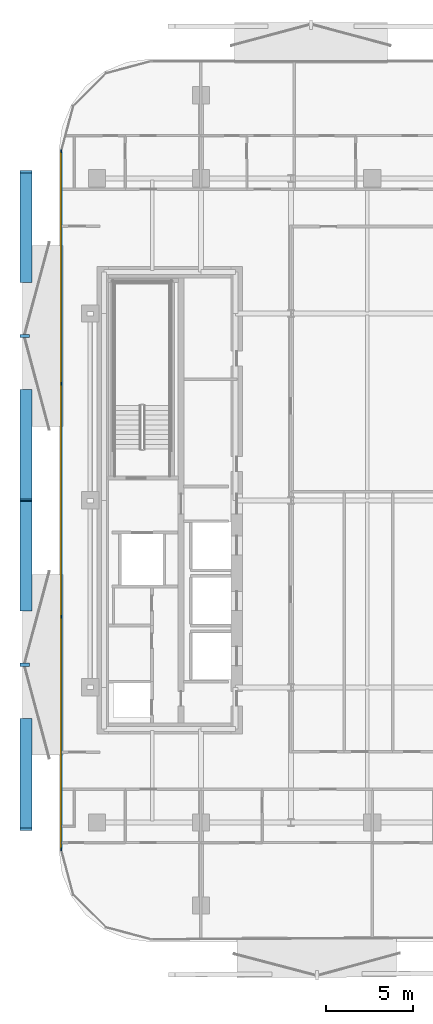
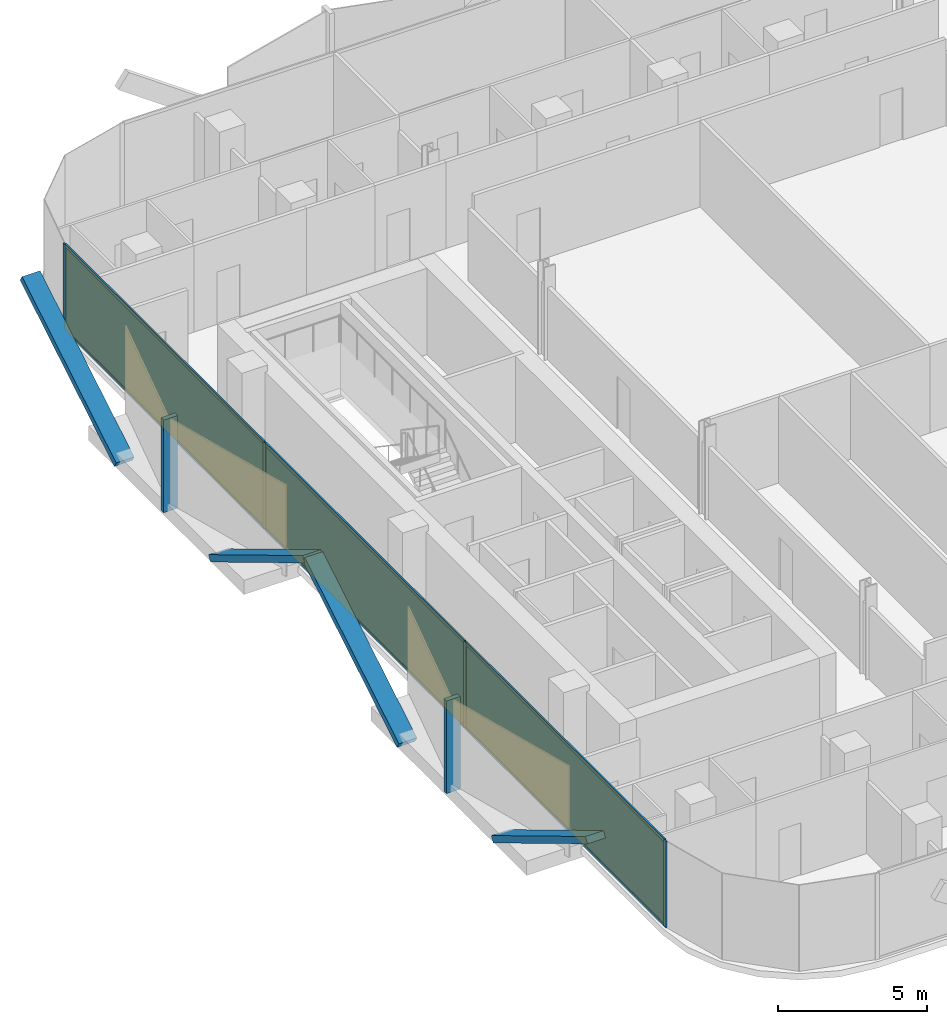
# One storey, part 10 of 17: 16 members, 3 plates, 1 curtain wall.
"""IFC4 building model written with IfcOpenShell, lengths in metres."""

from ifc_helpers import new_model, si_unit, direction, frame, frame_2d, origin, origin_2d, place, context, subcontext, project, spatial, rectangle, extrude, material, layer, layer_set, material_profile, profile_set, type_object, element, aggregate, save


model = new_model("IFC4")

# Units and contexts
model_context = context("Model", 3, precision=1e-05, world=origin(), true_north=direction((0.0, 1.0)))
body_context = subcontext(model_context, "Body", "Model", "MODEL_VIEW")
ifc_project = project(units=[si_unit("LENGTHUNIT", "METRE"), si_unit("AREAUNIT", "SQUARE_METRE"), si_unit("VOLUMEUNIT", "CUBIC_METRE"), si_unit("PLANEANGLEUNIT", "RADIAN"), si_unit("MASSUNIT", "GRAM", prefix="KILO")], contexts=[model_context])

# Member
ifc_material_1 = material(Name="Anodised Bronze Aluminium 6063-T6", Category="aluminium")
ifc_material_profile_1 = material_profile(ifc_material_1, rectangle(XDim=0.260009765625, YDim=0.699951171875, at=origin_2d()))
ifc_profile_set_1 = profile_set([ifc_material_profile_1], Name="Anodised Bronze Aluminium 6063-T6")
member_type_1 = type_object("IfcMemberType", Name="Bronze Diamond Solar-Screen Lattice Rib BDL-700", PredefinedType="MULLION", material=ifc_profile_set_1)
site_placement = place(None, origin())
building_placement = place(site_placement, origin())
storey_placement = place(building_placement, frame((0.0, 0.0, 180.199951171875)))
member_1_placement = place(storey_placement, frame((-24.5, -6.330322265625, -0.1298828125), z_axis=(0.0, 0.857382035675, 0.514680527027), x_axis=(0.0, -0.514680527027, 0.857382035675)))
member_1 = element("IfcMember", 1, at=member_1_placement, type_object=member_type_1, Name="L41 Bronze Diamond Solar Screen Lattice Rib 267A", PredefinedType="MULLION", context=body_context, shape_type="SweptSolid", body=[
    extrude(rectangle(XDim=0.260009765625, YDim=0.699951171875, at=origin_2d()), origin(), (0.0, 0.0, 1.0), 7.38330078125),
])

member_2_placement = place(storey_placement, frame((-24.5, -12.660400390625, -0.1298828125), z_axis=(0.0, -0.857382035675, 0.514680527027), x_axis=(0.0, 0.514680527027, 0.857382035675)))
member_2 = element("IfcMember", 2, at=member_2_placement, type_object=member_type_1, Name="L41 Bronze Diamond Solar Screen Lattice Rib 267B", PredefinedType="MULLION", context=body_context, shape_type="SweptSolid", body=[
    extrude(rectangle(XDim=0.260009765625, YDim=0.699951171875, at=origin_2d()), origin(), (0.0, 0.0, 1.0), 7.38330078125),
])

member_3_placement = place(storey_placement, frame((-24.5, 12.660400390625, -0.1298828125), z_axis=(0.0, 0.857382035675, 0.514680527027), x_axis=(0.0, -0.514680527027, 0.857382035675)))
member_3 = element("IfcMember", 3, at=member_3_placement, type_object=member_type_1, Name="L41 Bronze Diamond Solar Screen Lattice Rib 268A", PredefinedType="MULLION", context=body_context, shape_type="SweptSolid", body=[
    extrude(rectangle(XDim=0.260009765625, YDim=0.699951171875, at=origin_2d()), origin(), (0.0, 0.0, 1.0), 7.38330078125),
])

member_4_placement = place(storey_placement, frame((-24.5, 6.330322265625, -0.1298828125), z_axis=(0.0, -0.857382035675, 0.514680527027), x_axis=(0.0, 0.514680527027, 0.857382035675)))
member_4 = element("IfcMember", 4, at=member_4_placement, type_object=member_type_1, Name="L41 Bronze Diamond Solar Screen Lattice Rib 268B", PredefinedType="MULLION", context=body_context, shape_type="SweptSolid", body=[
    extrude(rectangle(XDim=0.260009765625, YDim=0.699951171875, at=origin_2d()), origin(), (0.0, 0.0, 1.0), 7.38330078125),
])

ifc_material_2 = material(Name="Anodised Bronze Aluminium 6063-T6", Category="aluminium")
ifc_material_profile_2 = material_profile(ifc_material_2, rectangle(XDim=0.179931640625, YDim=0.5400390625, at=origin_2d()))
ifc_profile_set_2 = profile_set([ifc_material_profile_2], Name="Anodised Bronze Aluminium 6063-T6")
member_type_2 = type_object("IfcMemberType", Name="Bronze Solar-Screen Vertical Fold Fin BSF-540", PredefinedType="MULLION", material=ifc_profile_set_2)
member_5_placement = place(storey_placement, frame((-24.580078125, -9.495361328125, -0.1298828125), z_axis=(0.0, 0.0, 1.0), x_axis=(0.0, 1.0, 0.0)))
member_5 = element("IfcMember", 5, at=member_5_placement, type_object=member_type_2, Name="L41 Bronze Solar Screen Vertical Fin 267", PredefinedType="MULLION", context=body_context, shape_type="SweptSolid", body=[
    extrude(rectangle(XDim=0.179931640625, YDim=0.5400390625, at=origin_2d()), origin(), (0.0, 0.0, 1.0), 3.800048828125),
])

member_6_placement = place(storey_placement, frame((-24.580078125, 9.495361328125, -0.1298828125), z_axis=(0.0, 0.0, 1.0), x_axis=(0.0, 1.0, 0.0)))
member_6 = element("IfcMember", 6, at=member_6_placement, type_object=member_type_2, Name="L41 Bronze Solar Screen Vertical Fin 268", PredefinedType="MULLION", context=body_context, shape_type="SweptSolid", body=[
    extrude(rectangle(XDim=0.179931640625, YDim=0.5400390625, at=origin_2d()), origin(), (0.0, 0.0, 1.0), 3.800048828125),
])

ifc_material_3 = material(Name="Anodised Bronze Aluminium 6063-T6", Category="aluminium")
ifc_material_profile_3 = material_profile(ifc_material_3, rectangle(XDim=0.06005859375, YDim=0.1650390625, at=origin_2d()))
ifc_profile_set_3 = profile_set([ifc_material_profile_3], Name="Anodised Bronze Aluminium 6063-T6")
member_type_3 = type_object("IfcMemberType", Name="CW-Z3 Mullion 60x165", PredefinedType="MULLION", material=ifc_profile_set_3)
member_7_placement = place(storey_placement, frame((-22.4599609375, -20.160888671875, 0.0), z_axis=(0.0, 0.0, 1.0), x_axis=(-1.0, 0.0, 0.0)))
member_7 = element("IfcMember", 7, at=member_7_placement, type_object=member_type_3, Name="CW-Z3 mullion 1", PredefinedType="MULLION", context=body_context, shape_type="SweptSolid", body=[
    extrude(rectangle(XDim=0.06005859375, YDim=0.1650390625, at=origin_2d()), origin(), (0.0, 0.0, 1.0), 3.5400390625),
])

member_8_placement = place(storey_placement, frame((-22.4599609375, -6.730224609375, 0.0), z_axis=(0.0, 0.0, 1.0), x_axis=(-1.0, 0.0, 0.0)))
member_8 = element("IfcMember", 8, at=member_8_placement, type_object=member_type_3, Name="CW-Z3 mullion 2", PredefinedType="MULLION", context=body_context, shape_type="SweptSolid", body=[
    extrude(rectangle(XDim=0.06005859375, YDim=0.1650390625, at=origin_2d()), origin(), (0.0, 0.0, 1.0), 3.5400390625),
])

member_9_placement = place(storey_placement, frame((-22.4599609375, 6.730224609375, 0.0), z_axis=(0.0, 0.0, 1.0), x_axis=(-1.0, 0.0, 0.0)))
member_9 = element("IfcMember", 9, at=member_9_placement, type_object=member_type_3, Name="CW-Z3 mullion 3", PredefinedType="MULLION", context=body_context, shape_type="SweptSolid", body=[
    extrude(rectangle(XDim=0.06005859375, YDim=0.1650390625, at=origin_2d()), origin(), (0.0, 0.0, 1.0), 3.5400390625),
])

member_10_placement = place(storey_placement, frame((-22.4599609375, 20.160888671875, 0.0), z_axis=(0.0, 0.0, 1.0), x_axis=(-1.0, 0.0, 0.0)))
member_10 = element("IfcMember", 10, at=member_10_placement, type_object=member_type_3, Name="CW-Z3 mullion 4", PredefinedType="MULLION", context=body_context, shape_type="SweptSolid", body=[
    extrude(rectangle(XDim=0.06005859375, YDim=0.1650390625, at=origin_2d()), origin(), (0.0, 0.0, 1.0), 3.5400390625),
])

ifc_material_4 = material(Name="Anodised Bronze Aluminium 6063-T6", Category="aluminium")
ifc_material_profile_4 = material_profile(ifc_material_4, rectangle(XDim=0.06005859375, YDim=0.1298828125, at=origin_2d()))
ifc_profile_set_4 = profile_set([ifc_material_profile_4], Name="Anodised Bronze Aluminium 6063-T6")
member_type_4 = type_object("IfcMemberType", Name="CW-Z3 Transom 60x130", PredefinedType="USERDEFINED", material=ifc_profile_set_4)
member_11_placement = place(storey_placement, frame((-22.4599609375, -20.130859375, 0.030029296875), z_axis=(0.0, 1.0, 0.0), x_axis=(-1.0, 0.0, 0.0)))
member_11 = element("IfcMember", 11, at=member_11_placement, type_object=member_type_4, Name="CW-Z3 transom 1.1", ObjectType="TRANSOM", PredefinedType="USERDEFINED", context=body_context, shape_type="SweptSolid", body=[
    extrude(rectangle(XDim=0.06005859375, YDim=0.1298828125, at=origin_2d()), origin(), (0.0, 0.0, 1.0), 13.37060546875),
])

member_12_placement = place(storey_placement, frame((-22.4599609375, -20.130859375, 3.510009765625), z_axis=(0.0, 1.0, 0.0), x_axis=(-1.0, 0.0, 0.0)))
member_12 = element("IfcMember", 12, at=member_12_placement, type_object=member_type_4, Name="CW-Z3 transom 1.2", ObjectType="TRANSOM", PredefinedType="USERDEFINED", context=body_context, shape_type="SweptSolid", body=[
    extrude(rectangle(XDim=0.06005859375, YDim=0.1298828125, at=origin_2d()), origin(), (0.0, 0.0, 1.0), 13.37060546875),
])

member_13_placement = place(storey_placement, frame((-22.4599609375, -6.7001953125, 0.030029296875), z_axis=(0.0, 1.0, 0.0), x_axis=(-1.0, 0.0, 0.0)))
member_13 = element("IfcMember", 13, at=member_13_placement, type_object=member_type_4, Name="CW-Z3 transom 2.1", ObjectType="TRANSOM", PredefinedType="USERDEFINED", context=body_context, shape_type="SweptSolid", body=[
    extrude(rectangle(XDim=0.06005859375, YDim=0.1298828125, at=origin_2d()), origin(), (0.0, 0.0, 1.0), 13.400390625),
])

member_14_placement = place(storey_placement, frame((-22.4599609375, -6.7001953125, 3.510009765625), z_axis=(0.0, 1.0, 0.0), x_axis=(-1.0, 0.0, 0.0)))
member_14 = element("IfcMember", 14, at=member_14_placement, type_object=member_type_4, Name="CW-Z3 transom 2.2", ObjectType="TRANSOM", PredefinedType="USERDEFINED", context=body_context, shape_type="SweptSolid", body=[
    extrude(rectangle(XDim=0.06005859375, YDim=0.1298828125, at=origin_2d()), origin(), (0.0, 0.0, 1.0), 13.400390625),
])

member_15_placement = place(storey_placement, frame((-22.4599609375, 6.76025390625, 0.030029296875), z_axis=(0.0, 1.0, 0.0), x_axis=(-1.0, 0.0, 0.0)))
member_15 = element("IfcMember", 15, at=member_15_placement, type_object=member_type_4, Name="CW-Z3 transom 3.1", ObjectType="TRANSOM", PredefinedType="USERDEFINED", context=body_context, shape_type="SweptSolid", body=[
    extrude(rectangle(XDim=0.06005859375, YDim=0.1298828125, at=origin_2d()), origin(), (0.0, 0.0, 1.0), 13.37060546875),
])

member_16_placement = place(storey_placement, frame((-22.4599609375, 6.76025390625, 3.510009765625), z_axis=(0.0, 1.0, 0.0), x_axis=(-1.0, 0.0, 0.0)))
member_16 = element("IfcMember", 16, at=member_16_placement, type_object=member_type_4, Name="CW-Z3 transom 3.2", ObjectType="TRANSOM", PredefinedType="USERDEFINED", context=body_context, shape_type="SweptSolid", body=[
    extrude(rectangle(XDim=0.06005859375, YDim=0.1298828125, at=origin_2d()), origin(), (0.0, 0.0, 1.0), 13.37060546875),
])

# Plate
ifc_material_5 = material(Name="Low-E Solar Control Laminated Glass", Category="glass")
ifc_layer_1 = layer(ifc_material_5, 0.030029296875, Name="Low-E Solar Control Laminated Glass")
ifc_layer_set_1 = layer_set([ifc_layer_1], Name="Low-E Solar Control Laminated Glass")
plate_type = type_object("IfcPlateType", Name="CW-Z3 Low-E Double Glazed Panel 30mm", PredefinedType="CURTAIN_PANEL", material=ifc_layer_set_1)
plate_1_placement = place(storey_placement, frame((-22.4599609375, -13.445556640625, 0.06005859375), z_axis=(0.0, 0.0, 1.0), x_axis=(0.0, 1.0, 0.0)))
plate_1 = element("IfcPlate", 17, at=plate_1_placement, type_object=plate_type, Name="CW-Z3 panel 1.1", PredefinedType="CURTAIN_PANEL", context=body_context, shape_type="SweptSolid", body=[
    extrude(rectangle(XDim=13.37060546875, YDim=0.030029296875, at=origin_2d()), origin(), (0.0, 0.0, 1.0), 3.419921875),
])

plate_2_placement = place(storey_placement, frame((-22.4599609375, 0.0, 0.06005859375), z_axis=(0.0, 0.0, 1.0), x_axis=(0.0, 1.0, 0.0)))
plate_2 = element("IfcPlate", 18, at=plate_2_placement, type_object=plate_type, Name="CW-Z3 panel 2.1", PredefinedType="CURTAIN_PANEL", context=body_context, shape_type="SweptSolid", body=[
    extrude(rectangle(XDim=13.400634765625, YDim=0.030029296875, at=origin_2d()), origin(), (0.0, 0.0, 1.0), 3.419921875),
])

plate_3_placement = place(storey_placement, frame((-22.4599609375, 13.445556640625, 0.06005859375), z_axis=(0.0, 0.0, 1.0), x_axis=(0.0, 1.0, 0.0)))
plate_3 = element("IfcPlate", 19, at=plate_3_placement, type_object=plate_type, Name="CW-Z3 panel 3.1", PredefinedType="CURTAIN_PANEL", context=body_context, shape_type="SweptSolid", body=[
    extrude(rectangle(XDim=13.37060546875, YDim=0.030029296875, at=origin_2d()), origin(), (0.0, 0.0, 1.0), 3.419921875),
])

# Site, building, storey
site = spatial("IfcSite", under=ifc_project, at=site_placement, CompositionType="ELEMENT")
building = spatial("IfcBuilding", under=site, at=building_placement, Name="Khairoan Windgate Tower", CompositionType="ELEMENT")
storey = spatial("IfcBuildingStorey", under=building, at=storey_placement, Name="L41", CompositionType="ELEMENT", Elevation=180.199951171875)

# Curtain wall
ifc_material_6 = material(Name="Anodised Bronze Aluminium 6063-T6", Category="aluminium")
ifc_layer_2 = layer(ifc_material_6, 0.1650390625, Name="Anodised Bronze Aluminium 6063-T6")
ifc_layer_set_2 = layer_set([ifc_layer_2], Name="Anodised Bronze Aluminium 6063-T6")
curtain_wall_type = type_object("IfcCurtainWallType", Name="Luxury Hotel Acoustic Curtain Wall CW-Z3", PredefinedType="NOTDEFINED", material=ifc_layer_set_2)
curtain_wall_placement = place(storey_placement, frame((-22.4599609375, -20.19091796875, 0.0), z_axis=(0.0, 0.0, 1.0), x_axis=(0.0, 1.0, 0.0)))
curtain_wall = element("IfcCurtainWall", 20, at=curtain_wall_placement, inside=storey, type_object=curtain_wall_type, Name="L41 Unitised Curtain Wall 5", PredefinedType="NOTDEFINED", context=body_context, shape_type="SweptSolid", body=[
    extrude(rectangle(XDim=40.3818359375, YDim=0.010009765625, at=frame_2d((20.19091796875, 0.0))), origin(), (0.0, 0.0, 1.0), 3.5400390625),
])

aggregate(curtain_wall, [member_7, member_8, member_9, member_10, member_11, member_12, plate_1, member_13, member_14, plate_2, member_15, member_16, plate_3, member_1, member_2, member_5, member_3, member_4, member_6])

save(model, "model.ifc")
